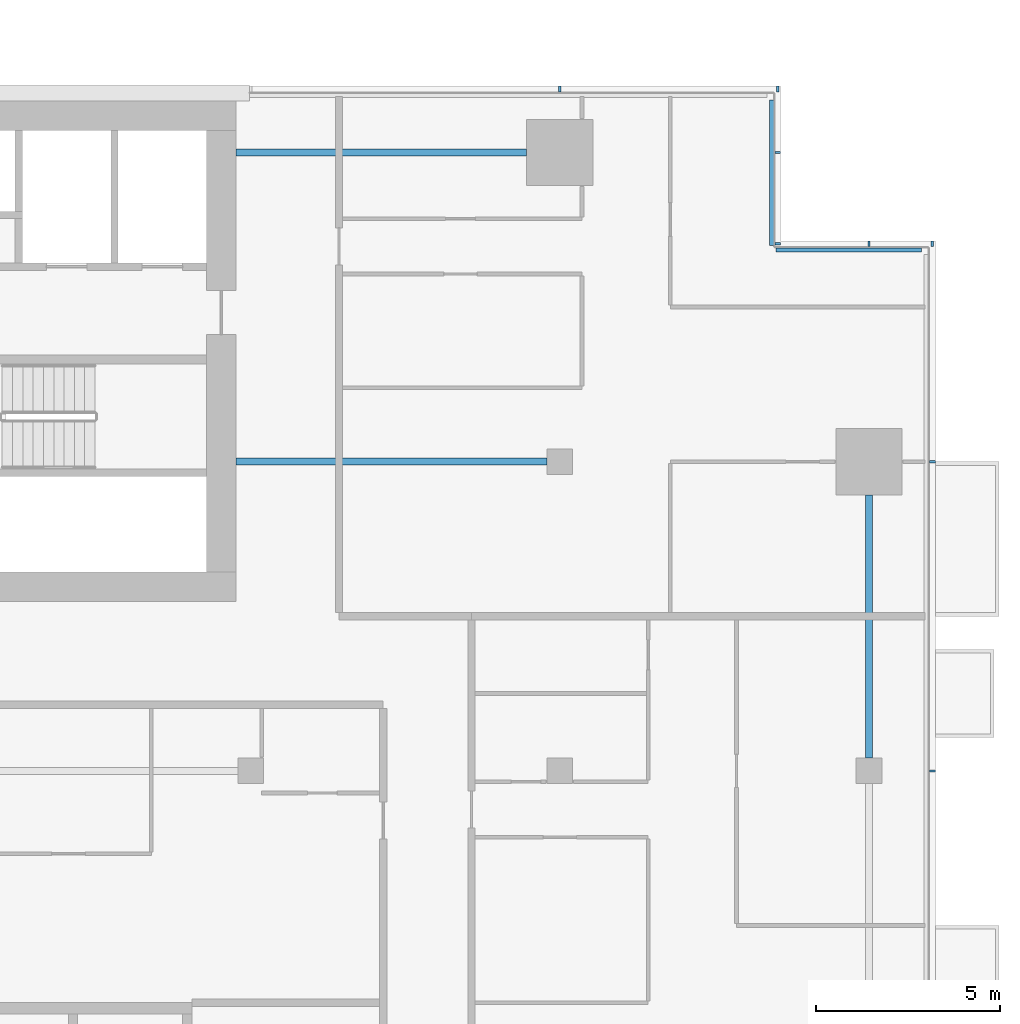
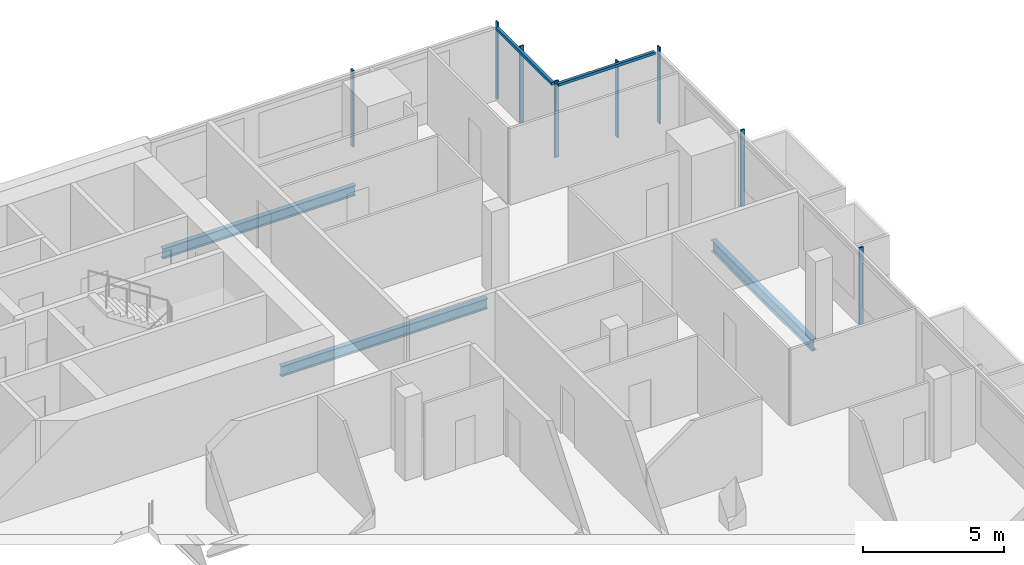
# One storey, part 13 of 28: 10 members, 3 beams, 4 elements without a shape of their own.
"""IFC4 building model written with IfcOpenShell, lengths in metres."""

from ifc_helpers import new_model, si_unit, direction, frame, origin, origin_2d, place, context, subcontext, project, spatial, rectangle, i_section, extrude, material, material_profile, profile_set, type_object, element, aggregate, save


model = new_model("IFC4")

# Units and contexts
model_context = context("Model", 3, precision=1e-05, world=origin(), true_north=direction((0.0, 1.0)))
body_context = subcontext(model_context, "Body", "Model", "MODEL_VIEW")
ifc_project = project(units=[si_unit("LENGTHUNIT", "METRE"), si_unit("AREAUNIT", "SQUARE_METRE"), si_unit("VOLUMEUNIT", "CUBIC_METRE"), si_unit("PLANEANGLEUNIT", "RADIAN"), si_unit("MASSUNIT", "GRAM", prefix="KILO")], contexts=[model_context])

# Site, building, storey
site_placement = place(None, origin())
site = spatial("IfcSite", under=ifc_project, at=site_placement, CompositionType="ELEMENT")
building_placement = place(site_placement, origin())
building = spatial("IfcBuilding", under=site, at=building_placement, Name="Saffron Gate Tower", CompositionType="ELEMENT")
storey_placement = place(building_placement, frame((0.0, 0.0, 154.64990234375)))
storey = spatial("IfcBuildingStorey", under=building, at=storey_placement, Name="L37", CompositionType="ELEMENT", Elevation=154.64990234375)

# Beams
ifc_material_1 = material(Name="Structural steel S355", Category="steel")
ifc_material_profile_1 = material_profile(ifc_material_1, i_section(OverallWidth=0.199951171875, OverallDepth=0.5, WebThickness=0.01025390625, FlangeThickness=0.01611328125, FilletRadius=0.02099609375, at=origin_2d()))
ifc_profile_set_1 = profile_set([ifc_material_profile_1], Name="Structural steel S355")
beam_type_1 = type_object("IfcBeamType", Name="B11 IPE 500", PredefinedType="SPANDREL", material=ifc_profile_set_1)
beam_1_placement = place(storey_placement, frame((125.39990234375, 57.35009765625, -0.52978515625), z_axis=(0.0, 1.0, 0.0), x_axis=(-1.0, 0.0, 0.0)))
element("IfcBeam", 1, at=beam_1_placement, inside=storey, type_object=beam_type_1, Name="B11 SPANDREL BEAM", PredefinedType="SPANDREL", context=body_context, shape_type="SweptSolid", body=[
    extrude(i_section(OverallWidth=0.199951171875, OverallDepth=0.5, WebThickness=0.01025390625, FlangeThickness=0.01611328125, FilletRadius=0.02099609375, at=origin_2d()), origin(), (0.0, 0.0, 1.0), 7.14990234375),
])
ifc_material_profile_2 = material_profile(ifc_material_1, i_section(OverallWidth=0.18994140625, OverallDepth=0.449951171875, WebThickness=0.009521484375, FlangeThickness=0.0146484375, FilletRadius=0.02099609375, at=origin_2d()))
ifc_profile_set_2 = profile_set([ifc_material_profile_2], Name="Structural steel S355")
beam_type_2 = type_object("IfcBeamType", Name="B6 IPE 450", PredefinedType="BEAM", material=ifc_profile_set_2)
beam_2_placement = place(storey_placement, frame((116.64990234375, 65.39990234375, -0.5048828125), z_axis=(-1.0, 0.0, 0.0), x_axis=(0.0, -1.0, 0.0)))
element("IfcBeam", 2, at=beam_2_placement, inside=storey, type_object=beam_type_2, Name="B6 CORE TIE BEAM", PredefinedType="BEAM", context=body_context, shape_type="SweptSolid", body=[
    extrude(i_section(OverallWidth=0.18994140625, OverallDepth=0.449951171875, WebThickness=0.009521484375, FlangeThickness=0.0146484375, FilletRadius=0.02099609375, at=origin_2d()), origin(), (0.0, 0.0, 1.0), 8.449951171875),
])
beam_3_placement = place(storey_placement, frame((116.10009765625, 73.800048828125, -0.5048828125), z_axis=(-1.0, 0.0, 0.0), x_axis=(0.0, -1.0, 0.0)))
element("IfcBeam", 3, at=beam_3_placement, inside=storey, type_object=beam_type_2, Name="B6 CORE TIE BEAM", PredefinedType="BEAM", context=body_context, shape_type="SweptSolid", body=[
    extrude(i_section(OverallWidth=0.18994140625, OverallDepth=0.449951171875, WebThickness=0.009521484375, FlangeThickness=0.0146484375, FilletRadius=0.02099609375, at=origin_2d()), origin(), (0.0, 0.0, 1.0), 7.900146484375),
])

# Curtain wall, members
ifc_material_2 = material(Name="Aluminium, bronze anodised", Category="aluminium")
curtain_wall_type_1 = type_object("IfcCurtainWallType", Name="CWS2 curtain wall side facades", PredefinedType="NOTDEFINED", material=ifc_material_2)
curtain_wall_1_placement = place(storey_placement, origin())
curtain_wall_1 = element("IfcCurtainWall", 4, at=curtain_wall_1_placement, inside=storey, type_object=curtain_wall_type_1, Name="CWS2 run 4", PredefinedType="NOTDEFINED")
ifc_material_profile_3 = material_profile(ifc_material_2, rectangle(XDim=0.159912109375, YDim=0.06005859375, at=origin_2d()))
ifc_profile_set_3 = profile_set([ifc_material_profile_3], Name="Aluminium, bronze anodised")
member_type_1 = type_object("IfcMemberType", Name="CWS2 mullion 60x160", PredefinedType="MULLION", material=ifc_profile_set_3)
member_1_placement = place(storey_placement, frame((127.1201171875, 57.0, 0.0), z_axis=(0.0, 0.0, 1.0), x_axis=(-1.0, 0.0, 0.0)))
member_1 = element("IfcMember", 5, at=member_1_placement, type_object=member_type_1, Name="CWS2 mullion 4", PredefinedType="MULLION", context=body_context, shape_type="SweptSolid", body=[
    extrude(rectangle(XDim=0.159912109375, YDim=0.06005859375, at=origin_2d()), origin(), (0.0, 0.0, 1.0), 3.320068359375),
])
member_2_placement = place(storey_placement, frame((127.1201171875, 65.39990234375, 0.0), z_axis=(0.0, 0.0, 1.0), x_axis=(-1.0, 0.0, 0.0)))
member_2 = element("IfcMember", 6, at=member_2_placement, type_object=member_type_1, Name="CWS2 mullion 5", PredefinedType="MULLION", context=body_context, shape_type="SweptSolid", body=[
    extrude(rectangle(XDim=0.159912109375, YDim=0.06005859375, at=origin_2d()), origin(), (0.0, 0.0, 1.0), 3.320068359375),
])
aggregate(curtain_wall_1, [member_1, member_2])

curtain_wall_type_2 = type_object("IfcCurtainWallType", Name="CWS3 curtain wall rear facade", PredefinedType="NOTDEFINED", material=ifc_material_2)
curtain_wall_2_placement = place(storey_placement, origin())
curtain_wall_2 = element("IfcCurtainWall", 7, at=curtain_wall_2_placement, inside=storey, type_object=curtain_wall_type_2, Name="CWS3 run 7", PredefinedType="NOTDEFINED")
ifc_material_profile_4 = material_profile(ifc_material_2, rectangle(XDim=0.159912109375, YDim=0.070068359375, at=origin_2d()))
ifc_profile_set_4 = profile_set([ifc_material_profile_4], Name="Aluminium, bronze anodised")
member_type_2 = type_object("IfcMemberType", Name="CWS3 mullion 70x160", PredefinedType="MULLION", material=ifc_profile_set_4)
member_3_placement = place(storey_placement, frame((122.919921875, 75.52001953125, 0.0), z_axis=(0.0, 0.0, 1.0), x_axis=(0.0, -1.0, 0.0)))
member_3 = element("IfcMember", 8, at=member_3_placement, type_object=member_type_2, Name="CWS3 mullion 1", PredefinedType="MULLION", context=body_context, shape_type="SweptSolid", body=[
    extrude(rectangle(XDim=0.159912109375, YDim=0.070068359375, at=origin_2d()), origin(), (0.0, 0.0, 1.0), 3.320068359375),
])
member_4_placement = place(storey_placement, frame((117.0, 75.52001953125, 0.0), z_axis=(0.0, 0.0, 1.0), x_axis=(0.0, -1.0, 0.0)))
member_4 = element("IfcMember", 9, at=member_4_placement, type_object=member_type_2, Name="CWS3 mullion 2", PredefinedType="MULLION", context=body_context, shape_type="SweptSolid", body=[
    extrude(rectangle(XDim=0.159912109375, YDim=0.070068359375, at=origin_2d()), origin(), (0.0, 0.0, 1.0), 3.320068359375),
])
aggregate(curtain_wall_2, [member_3, member_4])

# Curtain wall, member
curtain_wall_type_3 = type_object("IfcCurtainWallType", Name="CWS4 curtain wall corner returns", PredefinedType="NOTDEFINED", material=ifc_material_2)
curtain_wall_3_placement = place(storey_placement, origin())
curtain_wall_3 = element("IfcCurtainWall", 10, at=curtain_wall_3_placement, inside=storey, type_object=curtain_wall_type_3, Name="CWS4 run 5", PredefinedType="NOTDEFINED")
ifc_material_profile_5 = material_profile(ifc_material_2, rectangle(XDim=0.1201171875, YDim=0.1201171875, at=origin_2d()))
ifc_profile_set_5 = profile_set([ifc_material_profile_5], Name="Aluminium, bronze anodised")
member_type_3 = type_object("IfcMemberType", Name="CWS4 head transom", PredefinedType="USERDEFINED", material=ifc_profile_set_5)
member_5_placement = place(storey_placement, frame((126.83203125, 71.152099609375, 3.260009765625), z_axis=(-1.0, 0.0, 0.0), x_axis=(0.0, -1.0, 0.0)))
member_5 = element("IfcMember", 11, at=member_5_placement, type_object=member_type_3, Name="CWS4 head transom", ObjectType="TRANSOM", PredefinedType="USERDEFINED", context=body_context, shape_type="SweptSolid", body=[
    extrude(rectangle(XDim=0.1201171875, YDim=0.1201171875, at=origin_2d()), origin(), (0.0, 0.0, 1.0), 3.9599609375),
])

curtain_wall_4_placement = place(storey_placement, origin())
curtain_wall_4 = element("IfcCurtainWall", 12, at=curtain_wall_4_placement, inside=storey, type_object=curtain_wall_type_3, Name="CWS4 run 6", PredefinedType="NOTDEFINED")
member_6_placement = place(storey_placement, frame((122.751953125, 71.27197265625, 3.260009765625), z_axis=(0.0, 1.0, 0.0), x_axis=(-1.0, 0.0, 0.0)))
member_6 = element("IfcMember", 13, at=member_6_placement, type_object=member_type_3, Name="CWS4 head transom", ObjectType="TRANSOM", PredefinedType="USERDEFINED", context=body_context, shape_type="SweptSolid", body=[
    extrude(rectangle(XDim=0.1201171875, YDim=0.1201171875, at=origin_2d()), origin(), (0.0, 0.0, 1.0), 3.9599609375),
])

# Member
ifc_material_profile_6 = material_profile(ifc_material_2, rectangle(XDim=0.159912109375, YDim=0.06005859375, at=origin_2d()))
ifc_profile_set_6 = profile_set([ifc_material_profile_6], Name="Aluminium, bronze anodised")
member_type_4 = type_object("IfcMemberType", Name="CWS4 mullion 60x160", PredefinedType="MULLION", material=ifc_profile_set_6)
member_7_placement = place(storey_placement, frame((127.1201171875, 71.320068359375, 0.0), z_axis=(0.0, 0.0, 1.0), x_axis=(0.0, -1.0, 0.0)))
member_7 = element("IfcMember", 14, at=member_7_placement, type_object=member_type_4, Name="CWS4 mullion 1", PredefinedType="MULLION", context=body_context, shape_type="SweptSolid", body=[
    extrude(rectangle(XDim=0.159912109375, YDim=0.06005859375, at=origin_2d()), origin(), (0.0, 0.0, 1.0), 3.320068359375),
])

member_8_placement = place(storey_placement, frame((125.39990234375, 71.320068359375, 0.0), z_axis=(0.0, 0.0, 1.0), x_axis=(0.0, -1.0, 0.0)))
member_8 = element("IfcMember", 15, at=member_8_placement, type_object=member_type_4, Name="CWS4 mullion 2", PredefinedType="MULLION", context=body_context, shape_type="SweptSolid", body=[
    extrude(rectangle(XDim=0.159912109375, YDim=0.06005859375, at=origin_2d()), origin(), (0.0, 0.0, 1.0), 3.320068359375),
])

aggregate(curtain_wall_3, [member_7, member_8, member_5])

member_9_placement = place(storey_placement, frame((122.919921875, 71.320068359375, 0.0), z_axis=(0.0, 0.0, 1.0), x_axis=(-1.0, 0.0, 0.0)))
member_9 = element("IfcMember", 16, at=member_9_placement, type_object=member_type_4, Name="CWS4 mullion 1", PredefinedType="MULLION", context=body_context, shape_type="SweptSolid", body=[
    extrude(rectangle(XDim=0.159912109375, YDim=0.06005859375, at=origin_2d()), origin(), (0.0, 0.0, 1.0), 3.320068359375),
])

member_10_placement = place(storey_placement, frame((122.919921875, 73.800048828125, 0.0), z_axis=(0.0, 0.0, 1.0), x_axis=(-1.0, 0.0, 0.0)))
member_10 = element("IfcMember", 17, at=member_10_placement, type_object=member_type_4, Name="CWS4 mullion 2", PredefinedType="MULLION", context=body_context, shape_type="SweptSolid", body=[
    extrude(rectangle(XDim=0.159912109375, YDim=0.06005859375, at=origin_2d()), origin(), (0.0, 0.0, 1.0), 3.320068359375),
])

aggregate(curtain_wall_4, [member_9, member_10, member_6])

save(model, "model.ifc")
